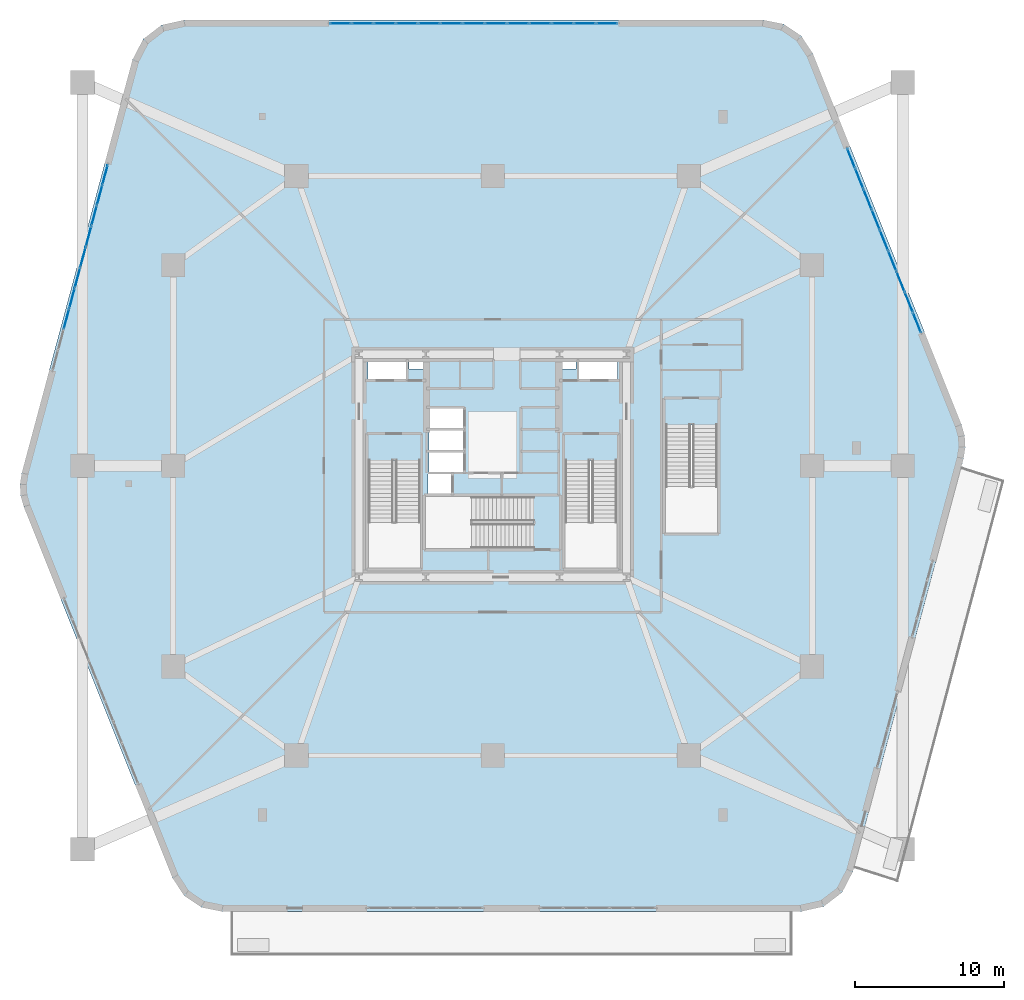
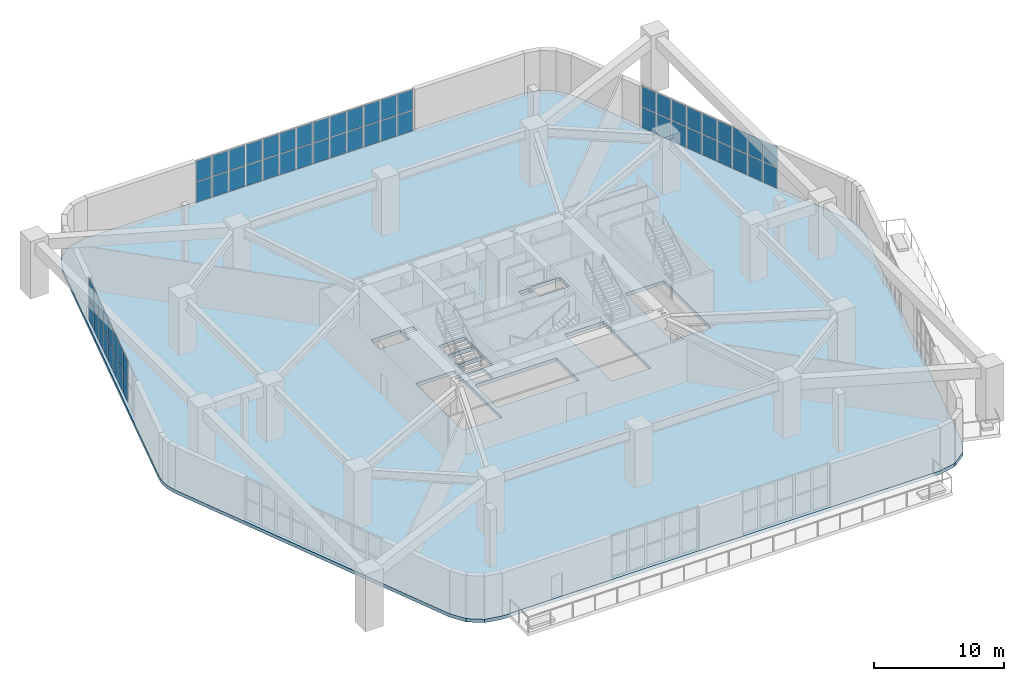
# One storey, part 26 of 34: 60 plates, 1 slab, 3 elements without a shape of their own.
"""IFC4 building model written with IfcOpenShell, lengths in metres."""

from ifc_helpers import new_model, si_unit, direction, frame, origin, origin_2d, place, context, subcontext, project, spatial, polyline, rectangle, outline, extrude, material, layer, layer_set, type_object, element, aggregate, save


model = new_model("IFC4")

# Units and contexts
model_context = context("Model", 3, precision=1e-05, world=origin(), true_north=direction((0.0, 1.0)))
body_context = subcontext(model_context, "Body", "Model", "MODEL_VIEW")
ifc_project = project(units=[si_unit("LENGTHUNIT", "METRE"), si_unit("AREAUNIT", "SQUARE_METRE"), si_unit("VOLUMEUNIT", "CUBIC_METRE"), si_unit("PLANEANGLEUNIT", "RADIAN"), si_unit("MASSUNIT", "GRAM", prefix="KILO")], contexts=[model_context])

# Site, building, storey
site_placement = place(None, origin())
site = spatial("IfcSite", under=ifc_project, at=site_placement, CompositionType="ELEMENT")
building_placement = place(site_placement, origin())
building = spatial("IfcBuilding", under=site, at=building_placement, Name="Kilnhurst Terrace Hotel", CompositionType="ELEMENT")
storey_placement = place(building_placement, frame((0.0, 0.0, 6.0)))
storey = spatial("IfcBuildingStorey", under=building, at=storey_placement, Name="L01", CompositionType="ELEMENT", Elevation=6.0)

# Curtain wall, plates
ifc_material_1 = material(Name="Anodized Aluminium Alloy 6063-T6 and Low-E Glass", Category="aluminium")
ifc_layer_1 = layer(ifc_material_1, 0.219970703125, Name="Anodized Aluminium Alloy 6063-T6 and Low-E Glass")
ifc_layer_set_1 = layer_set([ifc_layer_1], Name="Anodized Aluminium Alloy 6063-T6 and Low-E Glass")
curtain_wall_type = type_object("IfcCurtainWallType", Name="CW-POD-LOBBY", PredefinedType="NOTDEFINED", material=ifc_layer_set_1)
curtain_wall_1_placement = place(storey_placement, origin())
curtain_wall_1 = element("IfcCurtainWall", 1, at=curtain_wall_1_placement, inside=storey, type_object=curtain_wall_type, Name="L01 Curtain Wall CW-L01-F3-1", PredefinedType="NOTDEFINED")
ifc_material_2 = material(Name="Triple Laminated Low-E Hurricane Insulated Glass", Category="glass")
ifc_layer_2 = layer(ifc_material_2, 0.035888671875, Name="Triple Laminated Low-E Hurricane Insulated Glass")
ifc_layer_set_2 = layer_set([ifc_layer_2], Name="Triple Laminated Low-E Hurricane Insulated Glass")
plate_type = type_object("IfcPlateType", Name="PNL-GLZ-36", PredefinedType="CURTAIN_PANEL", material=ifc_layer_set_2)
plate_1_placement = place(storey_placement, frame((28.557373046875, 9.636474609375, 0.074951171875), z_axis=(0.0, 0.0, 1.0), x_axis=(-0.371955224552, 0.928250672463, 0.0)))
plate_1 = element("IfcPlate", 2, at=plate_1_placement, type_object=plate_type, Name="CWL-1 panel 1.1", PredefinedType="CURTAIN_PANEL", context=body_context, shape_type="SweptSolid", body=[
    extrude(rectangle(XDim=1.38037109375, YDim=0.035888671875, at=origin_2d()), origin(), (0.0, 0.0, 1.0), 1.91259765625),
])
plate_2_placement = place(storey_placement, frame((28.557373046875, 9.636474609375, 2.0625), z_axis=(0.0, 0.0, 1.0), x_axis=(-0.371955224552, 0.928250672463, 0.0)))
plate_2 = element("IfcPlate", 3, at=plate_2_placement, type_object=plate_type, Name="CWL-1 panel 1.2", PredefinedType="CURTAIN_PANEL", context=body_context, shape_type="SweptSolid", body=[
    extrude(rectangle(XDim=1.38037109375, YDim=0.035888671875, at=origin_2d()), origin(), (0.0, 0.0, 1.0), 1.91259765625),
])
plate_3_placement = place(storey_placement, frame((28.009033203125, 11.0048828125, 0.074951171875), z_axis=(0.0, 0.0, 1.0), x_axis=(-0.371955224552, 0.928250672463, 0.0)))
plate_3 = element("IfcPlate", 4, at=plate_3_placement, type_object=plate_type, Name="CWL-1 panel 2.1", PredefinedType="CURTAIN_PANEL", context=body_context, shape_type="SweptSolid", body=[
    extrude(rectangle(XDim=1.41796875, YDim=0.035888671875, at=origin_2d()), origin(), (0.0, 0.0, 1.0), 1.91259765625),
])
plate_4_placement = place(storey_placement, frame((28.009033203125, 11.0048828125, 2.0625), z_axis=(0.0, 0.0, 1.0), x_axis=(-0.371955224552, 0.928250672463, 0.0)))
plate_4 = element("IfcPlate", 5, at=plate_4_placement, type_object=plate_type, Name="CWL-1 panel 2.2", PredefinedType="CURTAIN_PANEL", context=body_context, shape_type="SweptSolid", body=[
    extrude(rectangle(XDim=1.41796875, YDim=0.035888671875, at=origin_2d()), origin(), (0.0, 0.0, 1.0), 1.91259765625),
])
plate_5_placement = place(storey_placement, frame((27.453857421875, 12.390625, 0.074951171875), z_axis=(0.0, 0.0, 1.0), x_axis=(-0.371955224552, 0.928250672463, 0.0)))
plate_5 = element("IfcPlate", 6, at=plate_5_placement, type_object=plate_type, Name="CWL-1 panel 3.1", PredefinedType="CURTAIN_PANEL", context=body_context, shape_type="SweptSolid", body=[
    extrude(rectangle(XDim=1.41796875, YDim=0.035888671875, at=origin_2d()), origin(), (0.0, 0.0, 1.0), 1.91259765625),
])
plate_6_placement = place(storey_placement, frame((27.453857421875, 12.390625, 2.0625), z_axis=(0.0, 0.0, 1.0), x_axis=(-0.371955224552, 0.928250672463, 0.0)))
plate_6 = element("IfcPlate", 7, at=plate_6_placement, type_object=plate_type, Name="CWL-1 panel 3.2", PredefinedType="CURTAIN_PANEL", context=body_context, shape_type="SweptSolid", body=[
    extrude(rectangle(XDim=1.41796875, YDim=0.035888671875, at=origin_2d()), origin(), (0.0, 0.0, 1.0), 1.91259765625),
])
plate_7_placement = place(storey_placement, frame((26.8984375, 13.776611328125, 0.074951171875), z_axis=(0.0, 0.0, 1.0), x_axis=(-0.371955224552, 0.928250672463, 0.0)))
plate_7 = element("IfcPlate", 8, at=plate_7_placement, type_object=plate_type, Name="CWL-1 panel 4.1", PredefinedType="CURTAIN_PANEL", context=body_context, shape_type="SweptSolid", body=[
    extrude(rectangle(XDim=1.41796875, YDim=0.035888671875, at=origin_2d()), origin(), (0.0, 0.0, 1.0), 1.91259765625),
])
plate_8_placement = place(storey_placement, frame((26.8984375, 13.776611328125, 2.0625), z_axis=(0.0, 0.0, 1.0), x_axis=(-0.371955224552, 0.928250672463, 0.0)))
plate_8 = element("IfcPlate", 9, at=plate_8_placement, type_object=plate_type, Name="CWL-1 panel 4.2", PredefinedType="CURTAIN_PANEL", context=body_context, shape_type="SweptSolid", body=[
    extrude(rectangle(XDim=1.41796875, YDim=0.035888671875, at=origin_2d()), origin(), (0.0, 0.0, 1.0), 1.91259765625),
])
plate_9_placement = place(storey_placement, frame((26.34326171875, 15.162353515625, 0.074951171875), z_axis=(0.0, 0.0, 1.0), x_axis=(-0.371955224552, 0.928250672463, 0.0)))
plate_9 = element("IfcPlate", 10, at=plate_9_placement, type_object=plate_type, Name="CWL-1 panel 5.1", PredefinedType="CURTAIN_PANEL", context=body_context, shape_type="SweptSolid", body=[
    extrude(rectangle(XDim=1.41796875, YDim=0.035888671875, at=origin_2d()), origin(), (0.0, 0.0, 1.0), 1.91259765625),
])
plate_10_placement = place(storey_placement, frame((26.34326171875, 15.162353515625, 2.0625), z_axis=(0.0, 0.0, 1.0), x_axis=(-0.371955224552, 0.928250672463, 0.0)))
plate_10 = element("IfcPlate", 11, at=plate_10_placement, type_object=plate_type, Name="CWL-1 panel 5.2", PredefinedType="CURTAIN_PANEL", context=body_context, shape_type="SweptSolid", body=[
    extrude(rectangle(XDim=1.41796875, YDim=0.035888671875, at=origin_2d()), origin(), (0.0, 0.0, 1.0), 1.91259765625),
])
plate_11_placement = place(storey_placement, frame((25.787841796875, 16.548095703125, 0.074951171875), z_axis=(0.0, 0.0, 1.0), x_axis=(-0.371955224552, 0.928250672463, 0.0)))
plate_11 = element("IfcPlate", 12, at=plate_11_placement, type_object=plate_type, Name="CWL-1 panel 6.1", PredefinedType="CURTAIN_PANEL", context=body_context, shape_type="SweptSolid", body=[
    extrude(rectangle(XDim=1.41796875, YDim=0.035888671875, at=origin_2d()), origin(), (0.0, 0.0, 1.0), 1.91259765625),
])
plate_12_placement = place(storey_placement, frame((25.787841796875, 16.548095703125, 2.0625), z_axis=(0.0, 0.0, 1.0), x_axis=(-0.371955224552, 0.928250672463, 0.0)))
plate_12 = element("IfcPlate", 13, at=plate_12_placement, type_object=plate_type, Name="CWL-1 panel 6.2", PredefinedType="CURTAIN_PANEL", context=body_context, shape_type="SweptSolid", body=[
    extrude(rectangle(XDim=1.41796875, YDim=0.035888671875, at=origin_2d()), origin(), (0.0, 0.0, 1.0), 1.91259765625),
])
plate_13_placement = place(storey_placement, frame((25.232666015625, 17.933837890625, 0.074951171875), z_axis=(0.0, 0.0, 1.0), x_axis=(-0.371955224552, 0.928250672463, 0.0)))
plate_13 = element("IfcPlate", 14, at=plate_13_placement, type_object=plate_type, Name="CWL-1 panel 7.1", PredefinedType="CURTAIN_PANEL", context=body_context, shape_type="SweptSolid", body=[
    extrude(rectangle(XDim=1.41796875, YDim=0.035888671875, at=origin_2d()), origin(), (0.0, 0.0, 1.0), 1.91259765625),
])
plate_14_placement = place(storey_placement, frame((25.232666015625, 17.933837890625, 2.0625), z_axis=(0.0, 0.0, 1.0), x_axis=(-0.371955224552, 0.928250672463, 0.0)))
plate_14 = element("IfcPlate", 15, at=plate_14_placement, type_object=plate_type, Name="CWL-1 panel 7.2", PredefinedType="CURTAIN_PANEL", context=body_context, shape_type="SweptSolid", body=[
    extrude(rectangle(XDim=1.41796875, YDim=0.035888671875, at=origin_2d()), origin(), (0.0, 0.0, 1.0), 1.91259765625),
])
plate_15_placement = place(storey_placement, frame((24.67724609375, 19.319580078125, 0.074951171875), z_axis=(0.0, 0.0, 1.0), x_axis=(-0.371955224552, 0.928250672463, 0.0)))
plate_15 = element("IfcPlate", 16, at=plate_15_placement, type_object=plate_type, Name="CWL-1 panel 8.1", PredefinedType="CURTAIN_PANEL", context=body_context, shape_type="SweptSolid", body=[
    extrude(rectangle(XDim=1.41796875, YDim=0.035888671875, at=origin_2d()), origin(), (0.0, 0.0, 1.0), 1.91259765625),
])
plate_16_placement = place(storey_placement, frame((24.67724609375, 19.319580078125, 2.0625), z_axis=(0.0, 0.0, 1.0), x_axis=(-0.371955224552, 0.928250672463, 0.0)))
plate_16 = element("IfcPlate", 17, at=plate_16_placement, type_object=plate_type, Name="CWL-1 panel 8.2", PredefinedType="CURTAIN_PANEL", context=body_context, shape_type="SweptSolid", body=[
    extrude(rectangle(XDim=1.41796875, YDim=0.035888671875, at=origin_2d()), origin(), (0.0, 0.0, 1.0), 1.91259765625),
])
plate_17_placement = place(storey_placement, frame((24.12890625, 20.68798828125, 0.074951171875), z_axis=(0.0, 0.0, 1.0), x_axis=(-0.371955224552, 0.928250672463, 0.0)))
plate_17 = element("IfcPlate", 18, at=plate_17_placement, type_object=plate_type, Name="CWL-1 panel 9.1", PredefinedType="CURTAIN_PANEL", context=body_context, shape_type="SweptSolid", body=[
    extrude(rectangle(XDim=1.38037109375, YDim=0.035888671875, at=origin_2d()), origin(), (0.0, 0.0, 1.0), 1.91259765625),
])
plate_18_placement = place(storey_placement, frame((24.12890625, 20.68798828125, 2.0625), z_axis=(0.0, 0.0, 1.0), x_axis=(-0.371955224552, 0.928250672463, 0.0)))
plate_18 = element("IfcPlate", 19, at=plate_18_placement, type_object=plate_type, Name="CWL-1 panel 9.2", PredefinedType="CURTAIN_PANEL", context=body_context, shape_type="SweptSolid", body=[
    extrude(rectangle(XDim=1.38037109375, YDim=0.035888671875, at=origin_2d()), origin(), (0.0, 0.0, 1.0), 1.91259765625),
])
aggregate(curtain_wall_1, [plate_1, plate_2, plate_3, plate_4, plate_5, plate_6, plate_7, plate_8, plate_9, plate_10, plate_11, plate_12, plate_13, plate_14, plate_15, plate_16, plate_17, plate_18])

curtain_wall_2_placement = place(storey_placement, origin())
curtain_wall_2 = element("IfcCurtainWall", 20, at=curtain_wall_2_placement, inside=storey, type_object=curtain_wall_type, Name="L01 Curtain Wall CW-L01-F4-1", PredefinedType="NOTDEFINED")
plate_19_placement = place(storey_placement, frame((7.685791015625, 29.77490234375, 0.074951171875), z_axis=(0.0, 0.0, 1.0), x_axis=(-1.0, 0.0, 0.0)))
plate_19 = element("IfcPlate", 21, at=plate_19_placement, type_object=plate_type, Name="CWL-1 panel 1.1", PredefinedType="CURTAIN_PANEL", context=body_context, shape_type="SweptSolid", body=[
    extrude(rectangle(XDim=1.38427734375, YDim=0.035888671875, at=origin_2d()), origin(), (0.0, 0.0, 1.0), 1.91259765625),
])
plate_20_placement = place(storey_placement, frame((7.685791015625, 29.77490234375, 2.0625), z_axis=(0.0, 0.0, 1.0), x_axis=(-1.0, 0.0, 0.0)))
plate_20 = element("IfcPlate", 22, at=plate_20_placement, type_object=plate_type, Name="CWL-1 panel 1.2", PredefinedType="CURTAIN_PANEL", context=body_context, shape_type="SweptSolid", body=[
    extrude(rectangle(XDim=1.38427734375, YDim=0.035888671875, at=origin_2d()), origin(), (0.0, 0.0, 1.0), 1.91259765625),
])
plate_21_placement = place(storey_placement, frame((6.207763671875, 29.77490234375, 0.074951171875), z_axis=(0.0, 0.0, 1.0), x_axis=(-1.0, 0.0, 0.0)))
plate_21 = element("IfcPlate", 23, at=plate_21_placement, type_object=plate_type, Name="CWL-1 panel 2.1", PredefinedType="CURTAIN_PANEL", context=body_context, shape_type="SweptSolid", body=[
    extrude(rectangle(XDim=1.421630859375, YDim=0.035888671875, at=origin_2d()), origin(), (0.0, 0.0, 1.0), 1.91259765625),
])
plate_22_placement = place(storey_placement, frame((6.207763671875, 29.77490234375, 2.0625), z_axis=(0.0, 0.0, 1.0), x_axis=(-1.0, 0.0, 0.0)))
plate_22 = element("IfcPlate", 24, at=plate_22_placement, type_object=plate_type, Name="CWL-1 panel 2.2", PredefinedType="CURTAIN_PANEL", context=body_context, shape_type="SweptSolid", body=[
    extrude(rectangle(XDim=1.421630859375, YDim=0.035888671875, at=origin_2d()), origin(), (0.0, 0.0, 1.0), 1.91259765625),
])
plate_23_placement = place(storey_placement, frame((4.711181640625, 29.77490234375, 0.074951171875), z_axis=(0.0, 0.0, 1.0), x_axis=(-1.0, 0.0, 0.0)))
plate_23 = element("IfcPlate", 25, at=plate_23_placement, type_object=plate_type, Name="CWL-1 panel 3.1", PredefinedType="CURTAIN_PANEL", context=body_context, shape_type="SweptSolid", body=[
    extrude(rectangle(XDim=1.421630859375, YDim=0.035888671875, at=origin_2d()), origin(), (0.0, 0.0, 1.0), 1.91259765625),
])
plate_24_placement = place(storey_placement, frame((4.711181640625, 29.77490234375, 2.0625), z_axis=(0.0, 0.0, 1.0), x_axis=(-1.0, 0.0, 0.0)))
plate_24 = element("IfcPlate", 26, at=plate_24_placement, type_object=plate_type, Name="CWL-1 panel 3.2", PredefinedType="CURTAIN_PANEL", context=body_context, shape_type="SweptSolid", body=[
    extrude(rectangle(XDim=1.421630859375, YDim=0.035888671875, at=origin_2d()), origin(), (0.0, 0.0, 1.0), 1.91259765625),
])
plate_25_placement = place(storey_placement, frame((3.21435546875, 29.77490234375, 0.074951171875), z_axis=(0.0, 0.0, 1.0), x_axis=(-1.0, 0.0, 0.0)))
plate_25 = element("IfcPlate", 27, at=plate_25_placement, type_object=plate_type, Name="CWL-1 panel 4.1", PredefinedType="CURTAIN_PANEL", context=body_context, shape_type="SweptSolid", body=[
    extrude(rectangle(XDim=1.421630859375, YDim=0.035888671875, at=origin_2d()), origin(), (0.0, 0.0, 1.0), 1.91259765625),
])
plate_26_placement = place(storey_placement, frame((3.21435546875, 29.77490234375, 2.0625), z_axis=(0.0, 0.0, 1.0), x_axis=(-1.0, 0.0, 0.0)))
plate_26 = element("IfcPlate", 28, at=plate_26_placement, type_object=plate_type, Name="CWL-1 panel 4.2", PredefinedType="CURTAIN_PANEL", context=body_context, shape_type="SweptSolid", body=[
    extrude(rectangle(XDim=1.421630859375, YDim=0.035888671875, at=origin_2d()), origin(), (0.0, 0.0, 1.0), 1.91259765625),
])
plate_27_placement = place(storey_placement, frame((1.7177734375, 29.77490234375, 0.074951171875), z_axis=(0.0, 0.0, 1.0), x_axis=(-1.0, 0.0, 0.0)))
plate_27 = element("IfcPlate", 29, at=plate_27_placement, type_object=plate_type, Name="CWL-1 panel 5.1", PredefinedType="CURTAIN_PANEL", context=body_context, shape_type="SweptSolid", body=[
    extrude(rectangle(XDim=1.421630859375, YDim=0.035888671875, at=origin_2d()), origin(), (0.0, 0.0, 1.0), 1.91259765625),
])
plate_28_placement = place(storey_placement, frame((1.7177734375, 29.77490234375, 2.0625), z_axis=(0.0, 0.0, 1.0), x_axis=(-1.0, 0.0, 0.0)))
plate_28 = element("IfcPlate", 30, at=plate_28_placement, type_object=plate_type, Name="CWL-1 panel 5.2", PredefinedType="CURTAIN_PANEL", context=body_context, shape_type="SweptSolid", body=[
    extrude(rectangle(XDim=1.421630859375, YDim=0.035888671875, at=origin_2d()), origin(), (0.0, 0.0, 1.0), 1.91259765625),
])
plate_29_placement = place(storey_placement, frame((0.22119140625, 29.77490234375, 0.074951171875), z_axis=(0.0, 0.0, 1.0), x_axis=(-1.0, 0.0, 0.0)))
plate_29 = element("IfcPlate", 31, at=plate_29_placement, type_object=plate_type, Name="CWL-1 panel 6.1", PredefinedType="CURTAIN_PANEL", context=body_context, shape_type="SweptSolid", body=[
    extrude(rectangle(XDim=1.421630859375, YDim=0.035888671875, at=origin_2d()), origin(), (0.0, 0.0, 1.0), 1.91259765625),
])
plate_30_placement = place(storey_placement, frame((0.22119140625, 29.77490234375, 2.0625), z_axis=(0.0, 0.0, 1.0), x_axis=(-1.0, 0.0, 0.0)))
plate_30 = element("IfcPlate", 32, at=plate_30_placement, type_object=plate_type, Name="CWL-1 panel 6.2", PredefinedType="CURTAIN_PANEL", context=body_context, shape_type="SweptSolid", body=[
    extrude(rectangle(XDim=1.421630859375, YDim=0.035888671875, at=origin_2d()), origin(), (0.0, 0.0, 1.0), 1.91259765625),
])
plate_31_placement = place(storey_placement, frame((-1.275634765625, 29.77490234375, 0.074951171875), z_axis=(0.0, 0.0, 1.0), x_axis=(-1.0, 0.0, 0.0)))
plate_31 = element("IfcPlate", 33, at=plate_31_placement, type_object=plate_type, Name="CWL-1 panel 7.1", PredefinedType="CURTAIN_PANEL", context=body_context, shape_type="SweptSolid", body=[
    extrude(rectangle(XDim=1.421630859375, YDim=0.035888671875, at=origin_2d()), origin(), (0.0, 0.0, 1.0), 1.91259765625),
])
plate_32_placement = place(storey_placement, frame((-1.275634765625, 29.77490234375, 2.0625), z_axis=(0.0, 0.0, 1.0), x_axis=(-1.0, 0.0, 0.0)))
plate_32 = element("IfcPlate", 34, at=plate_32_placement, type_object=plate_type, Name="CWL-1 panel 7.2", PredefinedType="CURTAIN_PANEL", context=body_context, shape_type="SweptSolid", body=[
    extrude(rectangle(XDim=1.421630859375, YDim=0.035888671875, at=origin_2d()), origin(), (0.0, 0.0, 1.0), 1.91259765625),
])
plate_33_placement = place(storey_placement, frame((-2.772216796875, 29.77490234375, 0.074951171875), z_axis=(0.0, 0.0, 1.0), x_axis=(-1.0, 0.0, 0.0)))
plate_33 = element("IfcPlate", 35, at=plate_33_placement, type_object=plate_type, Name="CWL-1 panel 8.1", PredefinedType="CURTAIN_PANEL", context=body_context, shape_type="SweptSolid", body=[
    extrude(rectangle(XDim=1.421630859375, YDim=0.035888671875, at=origin_2d()), origin(), (0.0, 0.0, 1.0), 1.91259765625),
])
plate_34_placement = place(storey_placement, frame((-2.772216796875, 29.77490234375, 2.0625), z_axis=(0.0, 0.0, 1.0), x_axis=(-1.0, 0.0, 0.0)))
plate_34 = element("IfcPlate", 36, at=plate_34_placement, type_object=plate_type, Name="CWL-1 panel 8.2", PredefinedType="CURTAIN_PANEL", context=body_context, shape_type="SweptSolid", body=[
    extrude(rectangle(XDim=1.421630859375, YDim=0.035888671875, at=origin_2d()), origin(), (0.0, 0.0, 1.0), 1.91259765625),
])
plate_35_placement = place(storey_placement, frame((-4.26904296875, 29.77490234375, 0.074951171875), z_axis=(0.0, 0.0, 1.0), x_axis=(-1.0, 0.0, 0.0)))
plate_35 = element("IfcPlate", 37, at=plate_35_placement, type_object=plate_type, Name="CWL-1 panel 9.1", PredefinedType="CURTAIN_PANEL", context=body_context, shape_type="SweptSolid", body=[
    extrude(rectangle(XDim=1.421630859375, YDim=0.035888671875, at=origin_2d()), origin(), (0.0, 0.0, 1.0), 1.91259765625),
])
plate_36_placement = place(storey_placement, frame((-4.26904296875, 29.77490234375, 2.0625), z_axis=(0.0, 0.0, 1.0), x_axis=(-1.0, 0.0, 0.0)))
plate_36 = element("IfcPlate", 38, at=plate_36_placement, type_object=plate_type, Name="CWL-1 panel 9.2", PredefinedType="CURTAIN_PANEL", context=body_context, shape_type="SweptSolid", body=[
    extrude(rectangle(XDim=1.421630859375, YDim=0.035888671875, at=origin_2d()), origin(), (0.0, 0.0, 1.0), 1.91259765625),
])
plate_37_placement = place(storey_placement, frame((-5.765625, 29.77490234375, 0.074951171875), z_axis=(0.0, 0.0, 1.0), x_axis=(-1.0, 0.0, 0.0)))
plate_37 = element("IfcPlate", 39, at=plate_37_placement, type_object=plate_type, Name="CWL-1 panel 10.1", PredefinedType="CURTAIN_PANEL", context=body_context, shape_type="SweptSolid", body=[
    extrude(rectangle(XDim=1.421630859375, YDim=0.035888671875, at=origin_2d()), origin(), (0.0, 0.0, 1.0), 1.91259765625),
])
plate_38_placement = place(storey_placement, frame((-5.765625, 29.77490234375, 2.0625), z_axis=(0.0, 0.0, 1.0), x_axis=(-1.0, 0.0, 0.0)))
plate_38 = element("IfcPlate", 40, at=plate_38_placement, type_object=plate_type, Name="CWL-1 panel 10.2", PredefinedType="CURTAIN_PANEL", context=body_context, shape_type="SweptSolid", body=[
    extrude(rectangle(XDim=1.421630859375, YDim=0.035888671875, at=origin_2d()), origin(), (0.0, 0.0, 1.0), 1.91259765625),
])
plate_39_placement = place(storey_placement, frame((-7.262451171875, 29.77490234375, 0.074951171875), z_axis=(0.0, 0.0, 1.0), x_axis=(-1.0, 0.0, 0.0)))
plate_39 = element("IfcPlate", 41, at=plate_39_placement, type_object=plate_type, Name="CWL-1 panel 11.1", PredefinedType="CURTAIN_PANEL", context=body_context, shape_type="SweptSolid", body=[
    extrude(rectangle(XDim=1.421630859375, YDim=0.035888671875, at=origin_2d()), origin(), (0.0, 0.0, 1.0), 1.91259765625),
])
plate_40_placement = place(storey_placement, frame((-7.262451171875, 29.77490234375, 2.0625), z_axis=(0.0, 0.0, 1.0), x_axis=(-1.0, 0.0, 0.0)))
plate_40 = element("IfcPlate", 42, at=plate_40_placement, type_object=plate_type, Name="CWL-1 panel 11.2", PredefinedType="CURTAIN_PANEL", context=body_context, shape_type="SweptSolid", body=[
    extrude(rectangle(XDim=1.421630859375, YDim=0.035888671875, at=origin_2d()), origin(), (0.0, 0.0, 1.0), 1.91259765625),
])
plate_41_placement = place(storey_placement, frame((-8.759033203125, 29.77490234375, 0.074951171875), z_axis=(0.0, 0.0, 1.0), x_axis=(-1.0, 0.0, 0.0)))
plate_41 = element("IfcPlate", 43, at=plate_41_placement, type_object=plate_type, Name="CWL-1 panel 12.1", PredefinedType="CURTAIN_PANEL", context=body_context, shape_type="SweptSolid", body=[
    extrude(rectangle(XDim=1.421630859375, YDim=0.035888671875, at=origin_2d()), origin(), (0.0, 0.0, 1.0), 1.91259765625),
])
plate_42_placement = place(storey_placement, frame((-8.759033203125, 29.77490234375, 2.0625), z_axis=(0.0, 0.0, 1.0), x_axis=(-1.0, 0.0, 0.0)))
plate_42 = element("IfcPlate", 44, at=plate_42_placement, type_object=plate_type, Name="CWL-1 panel 12.2", PredefinedType="CURTAIN_PANEL", context=body_context, shape_type="SweptSolid", body=[
    extrude(rectangle(XDim=1.421630859375, YDim=0.035888671875, at=origin_2d()), origin(), (0.0, 0.0, 1.0), 1.91259765625),
])
plate_43_placement = place(storey_placement, frame((-10.237060546875, 29.77490234375, 0.074951171875), z_axis=(0.0, 0.0, 1.0), x_axis=(-1.0, 0.0, 0.0)))
plate_43 = element("IfcPlate", 45, at=plate_43_placement, type_object=plate_type, Name="CWL-1 panel 13.1", PredefinedType="CURTAIN_PANEL", context=body_context, shape_type="SweptSolid", body=[
    extrude(rectangle(XDim=1.38427734375, YDim=0.035888671875, at=origin_2d()), origin(), (0.0, 0.0, 1.0), 1.91259765625),
])
plate_44_placement = place(storey_placement, frame((-10.237060546875, 29.77490234375, 2.0625), z_axis=(0.0, 0.0, 1.0), x_axis=(-1.0, 0.0, 0.0)))
plate_44 = element("IfcPlate", 46, at=plate_44_placement, type_object=plate_type, Name="CWL-1 panel 13.2", PredefinedType="CURTAIN_PANEL", context=body_context, shape_type="SweptSolid", body=[
    extrude(rectangle(XDim=1.38427734375, YDim=0.035888671875, at=origin_2d()), origin(), (0.0, 0.0, 1.0), 1.91259765625),
])
aggregate(curtain_wall_2, [plate_19, plate_20, plate_21, plate_22, plate_23, plate_24, plate_25, plate_26, plate_27, plate_28, plate_29, plate_30, plate_31, plate_32, plate_33, plate_34, plate_35, plate_36, plate_37, plate_38, plate_39, plate_40, plate_41, plate_42, plate_43, plate_44])

curtain_wall_3_placement = place(storey_placement, origin())
curtain_wall_3 = element("IfcCurtainWall", 47, at=curtain_wall_3_placement, inside=storey, type_object=curtain_wall_type, Name="L01 Curtain Wall CW-L01-F5-1", PredefinedType="NOTDEFINED")
plate_45_placement = place(storey_placement, frame((-26.076171875, 19.58984375, 0.074951171875), z_axis=(0.0, 0.0, 1.0), x_axis=(-0.258802226601, -0.965930332636, 0.0)))
plate_45 = element("IfcPlate", 48, at=plate_45_placement, type_object=plate_type, Name="CWL-1 panel 1.1", PredefinedType="CURTAIN_PANEL", context=body_context, shape_type="SweptSolid", body=[
    extrude(rectangle(XDim=1.325927734375, YDim=0.035888671875, at=origin_2d()), origin(), (0.0, 0.0, 1.0), 1.91259765625),
])
plate_46_placement = place(storey_placement, frame((-26.076171875, 19.58984375, 2.0625), z_axis=(0.0, 0.0, 1.0), x_axis=(-0.258802226601, -0.965930332636, 0.0)))
plate_46 = element("IfcPlate", 49, at=plate_46_placement, type_object=plate_type, Name="CWL-1 panel 1.2", PredefinedType="CURTAIN_PANEL", context=body_context, shape_type="SweptSolid", body=[
    extrude(rectangle(XDim=1.325927734375, YDim=0.035888671875, at=origin_2d()), origin(), (0.0, 0.0, 1.0), 1.91259765625),
])
plate_47_placement = place(storey_placement, frame((-26.443603515625, 18.218505859375, 0.074951171875), z_axis=(0.0, 0.0, 1.0), x_axis=(-0.258802226601, -0.965930332636, 0.0)))
plate_47 = element("IfcPlate", 50, at=plate_47_placement, type_object=plate_type, Name="CWL-1 panel 2.1", PredefinedType="CURTAIN_PANEL", context=body_context, shape_type="SweptSolid", body=[
    extrude(rectangle(XDim=1.36328125, YDim=0.035888671875, at=origin_2d()), origin(), (0.0, 0.0, 1.0), 1.91259765625),
])
plate_48_placement = place(storey_placement, frame((-26.443603515625, 18.218505859375, 2.0625), z_axis=(0.0, 0.0, 1.0), x_axis=(-0.258802226601, -0.965930332636, 0.0)))
plate_48 = element("IfcPlate", 51, at=plate_48_placement, type_object=plate_type, Name="CWL-1 panel 2.2", PredefinedType="CURTAIN_PANEL", context=body_context, shape_type="SweptSolid", body=[
    extrude(rectangle(XDim=1.36328125, YDim=0.035888671875, at=origin_2d()), origin(), (0.0, 0.0, 1.0), 1.91259765625),
])
plate_49_placement = place(storey_placement, frame((-26.81591796875, 16.829345703125, 0.074951171875), z_axis=(0.0, 0.0, 1.0), x_axis=(-0.258802226601, -0.965930332636, 0.0)))
plate_49 = element("IfcPlate", 52, at=plate_49_placement, type_object=plate_type, Name="CWL-1 panel 3.1", PredefinedType="CURTAIN_PANEL", context=body_context, shape_type="SweptSolid", body=[
    extrude(rectangle(XDim=1.36328125, YDim=0.035888671875, at=origin_2d()), origin(), (0.0, 0.0, 1.0), 1.91259765625),
])
plate_50_placement = place(storey_placement, frame((-26.81591796875, 16.829345703125, 2.0625), z_axis=(0.0, 0.0, 1.0), x_axis=(-0.258802226601, -0.965930332636, 0.0)))
plate_50 = element("IfcPlate", 53, at=plate_50_placement, type_object=plate_type, Name="CWL-1 panel 3.2", PredefinedType="CURTAIN_PANEL", context=body_context, shape_type="SweptSolid", body=[
    extrude(rectangle(XDim=1.36328125, YDim=0.035888671875, at=origin_2d()), origin(), (0.0, 0.0, 1.0), 1.91259765625),
])
plate_51_placement = place(storey_placement, frame((-27.18798828125, 15.43994140625, 0.074951171875), z_axis=(0.0, 0.0, 1.0), x_axis=(-0.258802226601, -0.965930332636, 0.0)))
plate_51 = element("IfcPlate", 54, at=plate_51_placement, type_object=plate_type, Name="CWL-1 panel 4.1", PredefinedType="CURTAIN_PANEL", context=body_context, shape_type="SweptSolid", body=[
    extrude(rectangle(XDim=1.36328125, YDim=0.035888671875, at=origin_2d()), origin(), (0.0, 0.0, 1.0), 1.91259765625),
])
plate_52_placement = place(storey_placement, frame((-27.18798828125, 15.43994140625, 2.0625), z_axis=(0.0, 0.0, 1.0), x_axis=(-0.258802226601, -0.965930332636, 0.0)))
plate_52 = element("IfcPlate", 55, at=plate_52_placement, type_object=plate_type, Name="CWL-1 panel 4.2", PredefinedType="CURTAIN_PANEL", context=body_context, shape_type="SweptSolid", body=[
    extrude(rectangle(XDim=1.36328125, YDim=0.035888671875, at=origin_2d()), origin(), (0.0, 0.0, 1.0), 1.91259765625),
])
plate_53_placement = place(storey_placement, frame((-27.560302734375, 14.050537109375, 0.074951171875), z_axis=(0.0, 0.0, 1.0), x_axis=(-0.258802226601, -0.965930332636, 0.0)))
plate_53 = element("IfcPlate", 56, at=plate_53_placement, type_object=plate_type, Name="CWL-1 panel 5.1", PredefinedType="CURTAIN_PANEL", context=body_context, shape_type="SweptSolid", body=[
    extrude(rectangle(XDim=1.36328125, YDim=0.035888671875, at=origin_2d()), origin(), (0.0, 0.0, 1.0), 1.91259765625),
])
plate_54_placement = place(storey_placement, frame((-27.560302734375, 14.050537109375, 2.0625), z_axis=(0.0, 0.0, 1.0), x_axis=(-0.258802226601, -0.965930332636, 0.0)))
plate_54 = element("IfcPlate", 57, at=plate_54_placement, type_object=plate_type, Name="CWL-1 panel 5.2", PredefinedType="CURTAIN_PANEL", context=body_context, shape_type="SweptSolid", body=[
    extrude(rectangle(XDim=1.36328125, YDim=0.035888671875, at=origin_2d()), origin(), (0.0, 0.0, 1.0), 1.91259765625),
])
plate_55_placement = place(storey_placement, frame((-27.9326171875, 12.6611328125, 0.074951171875), z_axis=(0.0, 0.0, 1.0), x_axis=(-0.258802226601, -0.965930332636, 0.0)))
plate_55 = element("IfcPlate", 58, at=plate_55_placement, type_object=plate_type, Name="CWL-1 panel 6.1", PredefinedType="CURTAIN_PANEL", context=body_context, shape_type="SweptSolid", body=[
    extrude(rectangle(XDim=1.36328125, YDim=0.035888671875, at=origin_2d()), origin(), (0.0, 0.0, 1.0), 1.91259765625),
])
plate_56_placement = place(storey_placement, frame((-27.9326171875, 12.6611328125, 2.0625), z_axis=(0.0, 0.0, 1.0), x_axis=(-0.258802226601, -0.965930332636, 0.0)))
plate_56 = element("IfcPlate", 59, at=plate_56_placement, type_object=plate_type, Name="CWL-1 panel 6.2", PredefinedType="CURTAIN_PANEL", context=body_context, shape_type="SweptSolid", body=[
    extrude(rectangle(XDim=1.36328125, YDim=0.035888671875, at=origin_2d()), origin(), (0.0, 0.0, 1.0), 1.91259765625),
])
plate_57_placement = place(storey_placement, frame((-28.304931640625, 11.271728515625, 0.074951171875), z_axis=(0.0, 0.0, 1.0), x_axis=(-0.258802226601, -0.965930332636, 0.0)))
plate_57 = element("IfcPlate", 60, at=plate_57_placement, type_object=plate_type, Name="CWL-1 panel 7.1", PredefinedType="CURTAIN_PANEL", context=body_context, shape_type="SweptSolid", body=[
    extrude(rectangle(XDim=1.36328125, YDim=0.035888671875, at=origin_2d()), origin(), (0.0, 0.0, 1.0), 1.91259765625),
])
plate_58_placement = place(storey_placement, frame((-28.304931640625, 11.271728515625, 2.0625), z_axis=(0.0, 0.0, 1.0), x_axis=(-0.258802226601, -0.965930332636, 0.0)))
plate_58 = element("IfcPlate", 61, at=plate_58_placement, type_object=plate_type, Name="CWL-1 panel 7.2", PredefinedType="CURTAIN_PANEL", context=body_context, shape_type="SweptSolid", body=[
    extrude(rectangle(XDim=1.36328125, YDim=0.035888671875, at=origin_2d()), origin(), (0.0, 0.0, 1.0), 1.91259765625),
])
plate_59_placement = place(storey_placement, frame((-28.67724609375, 9.88232421875, 0.074951171875), z_axis=(0.0, 0.0, 1.0), x_axis=(-0.258802226601, -0.965930332636, 0.0)))
plate_59 = element("IfcPlate", 62, at=plate_59_placement, type_object=plate_type, Name="CWL-1 panel 8.1", PredefinedType="CURTAIN_PANEL", context=body_context, shape_type="SweptSolid", body=[
    extrude(rectangle(XDim=1.36328125, YDim=0.035888671875, at=origin_2d()), origin(), (0.0, 0.0, 1.0), 1.91259765625),
])
plate_60_placement = place(storey_placement, frame((-28.67724609375, 9.88232421875, 2.0625), z_axis=(0.0, 0.0, 1.0), x_axis=(-0.258802226601, -0.965930332636, 0.0)))
plate_60 = element("IfcPlate", 63, at=plate_60_placement, type_object=plate_type, Name="CWL-1 panel 8.2", PredefinedType="CURTAIN_PANEL", context=body_context, shape_type="SweptSolid", body=[
    extrude(rectangle(XDim=1.36328125, YDim=0.035888671875, at=origin_2d()), origin(), (0.0, 0.0, 1.0), 1.91259765625),
])
aggregate(curtain_wall_3, [plate_45, plate_46, plate_47, plate_48, plate_49, plate_50, plate_51, plate_52, plate_53, plate_54, plate_55, plate_56, plate_57, plate_58, plate_59, plate_60])

# Slab
ifc_material_3 = material(Name="Concrete C50/60", Category="concrete")
ifc_layer_3 = layer(ifc_material_3, 0.320068359375, Name="Concrete C50/60")
ifc_layer_set_3 = layer_set([ifc_layer_3], Name="Concrete C50/60")
slab_type = type_object("IfcSlabType", Name="SLB-FLR-320", PredefinedType="FLOOR", material=ifc_layer_set_3)
slab_placement = place(storey_placement, frame((0.0, 0.0, -0.320068359375)))
element("IfcSlab", 64, at=slab_placement, inside=storey, type_object=slab_type, Name="L01 Structural Floor Slab", PredefinedType="FLOOR", context=body_context, shape_type="SweptSolid", body=[
    extrude(outline(polyline([(-21.5458984375, -27.739013671875), (-20.769287109375, -28.92578125), (-19.5947265625, -29.720703125), (-18.204345703125, -30.0), (20.757568359375, -30.0), (22.279052734375, -29.66259765625), (23.515380859375, -28.714111328125), (24.23486328125, -27.331787109375), (31.689697265625, 0.4921875), (31.808349609375, 1.2529296875), (31.762451171875, 2.021484375), (31.55419921875, 2.7626953125), (21.5458984375, 27.739013671875), (20.769287109375, 28.92578125), (19.5947265625, 29.720703125), (18.204345703125, 30.0), (-20.757568359375, 30.0), (-22.279052734375, 29.66259765625), (-23.515380859375, 28.714111328125), (-24.23486328125, 27.331787109375), (-31.689697265625, -0.4921875), (-31.808349609375, -1.2529296875), (-31.762451171875, -2.021484375), (-31.55419921875, -2.7626953125), (-21.5458984375, -27.739013671875)]), holes=[polyline([(-8.35009765625, 0.35498046875), (-4.8798828125, 0.35498046875), (-4.8798828125, -6.89990234375), (-8.35009765625, -6.89990234375), (-8.35009765625, 0.35498046875)]), polyline([(-4.35009765625, -1.89990234375), (-4.35009765625, -0.550048828125), (-2.800048828125, -0.550048828125), (-2.800048828125, -1.89990234375), (-4.35009765625, -1.89990234375)]), polyline([(-4.300048828125, -0.429931640625), (-4.300048828125, 0.89990234375), (-1.949951171875, 0.89990234375), (-1.949951171875, -0.429931640625), (-4.300048828125, -0.429931640625)]), polyline([(-1.949951171875, 1.050048828125), (-4.300048828125, 1.050048828125), (-4.300048828125, 2.3798828125), (-1.949951171875, 2.3798828125), (-1.949951171875, 1.050048828125)]), polyline([(-8.39990234375, 5.75), (-8.39990234375, 7.14990234375), (-5.800048828125, 7.14990234375), (-5.800048828125, 5.75), (-8.39990234375, 5.75)]), polyline([(-5.6201171875, 6.52001953125), (-5.6201171875, 7.080078125), (-4.659912109375, 7.080078125), (-4.659912109375, 6.52001953125), (-5.6201171875, 6.52001953125)]), polyline([(2.7548828125, -2.080078125), (2.7548828125, -5.550048828125), (-4.5, -5.550048828125), (-4.5, -2.080078125), (2.7548828125, -2.080078125)]), polyline([(8.35009765625, 0.35498046875), (8.35009765625, -6.89990234375), (4.8798828125, -6.89990234375), (4.8798828125, 0.35498046875), (8.35009765625, 0.35498046875)]), polyline([(15.1201171875, 2.7548828125), (15.1201171875, -4.5), (11.64990234375, -4.5), (11.64990234375, 2.7548828125), (15.1201171875, 2.7548828125)]), polyline([(-1.949951171875, 2.530029296875), (-4.300048828125, 2.530029296875), (-4.300048828125, 3.860107421875), (-1.949951171875, 3.860107421875), (-1.949951171875, 2.530029296875)]), polyline([(5.800048828125, 5.75), (5.800048828125, 7.14990234375), (8.39990234375, 7.14990234375), (8.39990234375, 5.75), (5.800048828125, 5.75)]), polyline([(4.659912109375, 6.52001953125), (4.659912109375, 7.080078125), (5.6201171875, 7.080078125), (5.6201171875, 6.52001953125), (4.659912109375, 6.52001953125)])]), origin(), (0.0, 0.0, 1.0), 0.320068359375),
])

save(model, "model.ifc")
